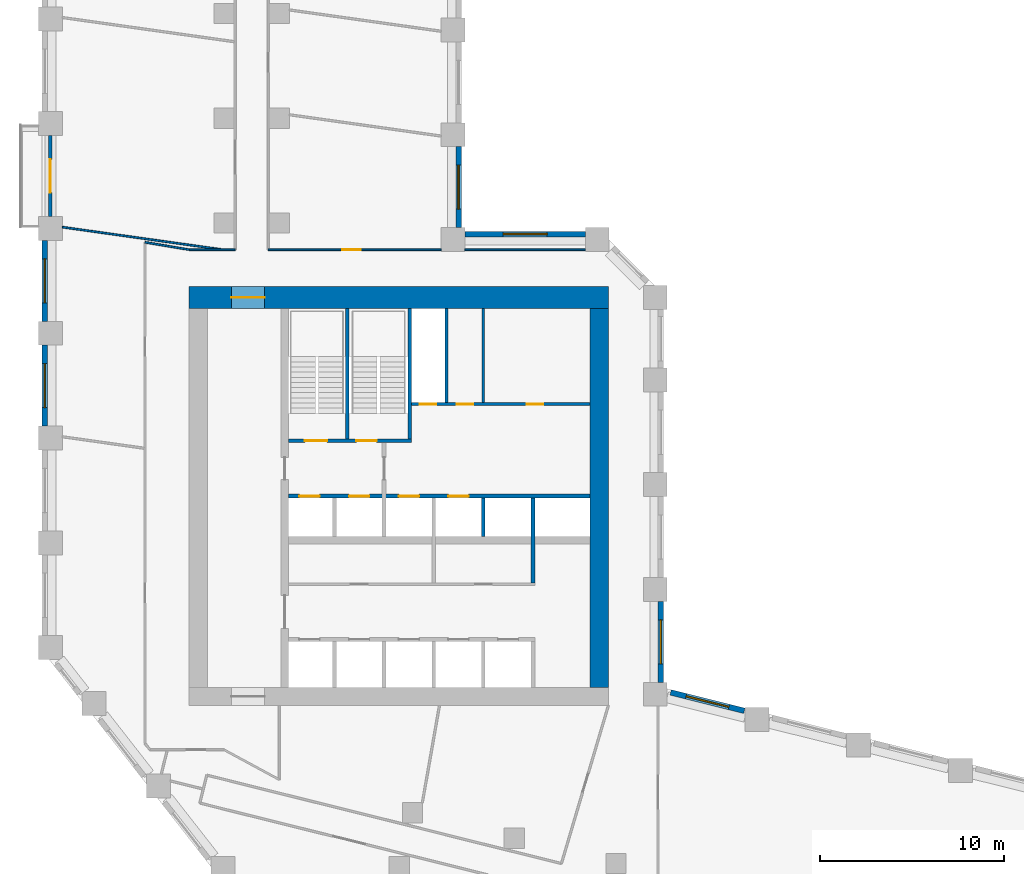
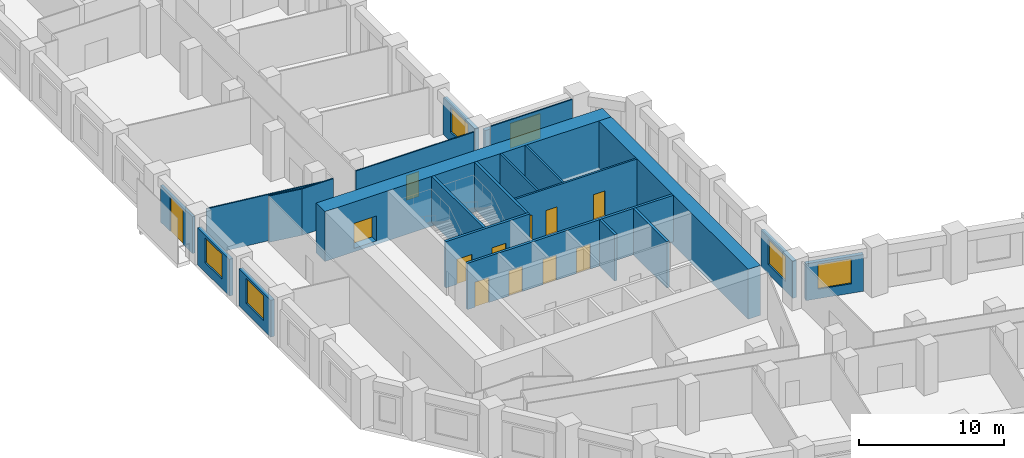
# One storey, part 5 of 10: 23 walls, 12 doors, 6 windows, 18 openings.
"""IFC4 building model written with IfcOpenShell, lengths in metres."""

from ifc_helpers import new_model, si_unit, direction, frame, frame_2d, origin, place, context, subcontext, project, spatial, rectangle, extrude, material, layer, layer_set, type_object, element, fill, save


model = new_model("IFC4")

# Units and contexts
model_context = context("Model", 3, precision=1e-05, world=origin(), true_north=direction((0.0, 1.0)))
body_context = subcontext(model_context, "Body", "Model", "MODEL_VIEW")
ifc_project = project(units=[si_unit("LENGTHUNIT", "METRE"), si_unit("AREAUNIT", "SQUARE_METRE"), si_unit("VOLUMEUNIT", "CUBIC_METRE"), si_unit("PLANEANGLEUNIT", "RADIAN"), si_unit("MASSUNIT", "GRAM", prefix="KILO")], contexts=[model_context])

# Site, building, storey
site_placement = place(None, origin())
site = spatial("IfcSite", under=ifc_project, at=site_placement, CompositionType="ELEMENT")
building_placement = place(site_placement, origin())
building = spatial("IfcBuilding", under=site, at=building_placement, Name="Meshkara Civic Tower", CompositionType="ELEMENT")
storey_placement = place(building_placement, frame((0.0, 0.0, 118.199951171875)))
storey = spatial("IfcBuildingStorey", under=building, at=storey_placement, Name="L26", CompositionType="ELEMENT", Elevation=118.199951171875)

# Wall, openings, doors
ifc_material_1 = material(Name="Blockwork", Category="masonry")
ifc_layer_1 = layer(ifc_material_1, 0.14990234375)
ifc_layer_set_1 = layer_set([ifc_layer_1], Name="Core partition 150")
wall_type_1 = type_object("IfcWallType", Name="Core partition 150", PredefinedType="PARTITIONING", material=ifc_layer_set_1)
wall_1_placement = place(storey_placement, frame((20.10009765625, 30.5, 0.0), z_axis=(0.0, 0.0, 1.0), x_axis=(1.0, 0.0, 0.0)))
wall_1 = element("IfcWall", 1, at=wall_1_placement, inside=storey, type_object=wall_type_1, Name="L26-C010", PredefinedType="PARTITIONING", context=body_context, shape_type="SweptSolid", body=[
    extrude(rectangle(XDim=9.699951171875, YDim=0.14990234375, at=frame_2d((4.85009765625, 0.0))), origin(), (0.0, 0.0, 1.0), 3.900146484375),
])
opening_1_placement = place(wall_1_placement, frame((0.449951171875, 0.0, 0.0)))
opening_1 = element("IfcOpeningElement", 2, at=opening_1_placement, cuts=wall_1, Name="Opening L26-K012", PredefinedType="OPENING", context=body_context, shape_type="SweptSolid", body=[
    extrude(rectangle(XDim=0.89990234375, YDim=2.10009765625, at=frame_2d((0.449951171875, 1.050048828125))), frame((0.0, 0.0849609375, 0.0), z_axis=(0.0, -1.0, 0.0), x_axis=(1.0, 0.0, 0.0)), (0.0, 0.0, 1.0), 0.169921875),
])
opening_2_placement = place(wall_1_placement, frame((2.449951171875, 0.0, 0.0)))
opening_2 = element("IfcOpeningElement", 3, at=opening_2_placement, cuts=wall_1, Name="Opening L26-K013", PredefinedType="OPENING", context=body_context, shape_type="SweptSolid", body=[
    extrude(rectangle(XDim=0.89990234375, YDim=2.10009765625, at=frame_2d((0.449951171875, 1.050048828125))), frame((0.0, 0.0849609375, 0.0), z_axis=(0.0, -1.0, 0.0), x_axis=(1.0, 0.0, 0.0)), (0.0, 0.0, 1.0), 0.169921875),
])
opening_3_placement = place(wall_1_placement, frame((6.25, 0.0, 0.0)))
opening_3 = element("IfcOpeningElement", 4, at=opening_3_placement, cuts=wall_1, Name="Opening L26-K014", PredefinedType="OPENING", context=body_context, shape_type="SweptSolid", body=[
    extrude(rectangle(XDim=0.89990234375, YDim=2.10009765625, at=frame_2d((0.449951171875, 1.050048828125))), frame((0.0, 0.0849609375, 0.0), z_axis=(0.0, -1.0, 0.0), x_axis=(1.0, 0.0, 0.0)), (0.0, 0.0, 1.0), 0.169921875),
])
ifc_material_2 = material(Name="Timber door leaf in steel frame", Category="steel")
door_type_1 = type_object("IfcDoorType", Name="Core room door 900", OperationType="SINGLE_SWING_LEFT", PredefinedType="DOOR", material=ifc_material_2)
door_1_placement = place(opening_3_placement, origin())
door_1 = element("IfcDoor", 5, at=door_1_placement, inside=storey, type_object=door_type_1, Name="L26-K014", OperationType="SINGLE_SWING_RIGHT", OverallHeight=2.10009765625, OverallWidth=0.89990234375, PredefinedType="DOOR", context=body_context, shape_type="SweptSolid", body=[
    extrude(rectangle(XDim=0.89990234375, YDim=2.10009765625, at=frame_2d((0.449951171875, 1.050048828125))), frame((0.0, 0.02490234375, 0.0), z_axis=(0.0, -1.0, 0.0), x_axis=(1.0, 0.0, 0.0)), (0.0, 0.0, 1.0), 0.050048828125),
])
fill(opening_3, door_1)
ifc_material_3 = material(Name="Fire-rated door leaf in steel frame", Category="steel")
door_type_2 = type_object("IfcDoorType", Name="Riser door 900", OperationType="SINGLE_SWING_LEFT", PredefinedType="DOOR", material=ifc_material_3)
door_2_placement = place(opening_1_placement, origin())
door_2 = element("IfcDoor", 6, at=door_2_placement, inside=storey, type_object=door_type_2, Name="L26-K012", OperationType="SINGLE_SWING_RIGHT", OverallHeight=2.10009765625, OverallWidth=0.89990234375, PredefinedType="DOOR", context=body_context, shape_type="SweptSolid", body=[
    extrude(rectangle(XDim=0.89990234375, YDim=2.10009765625, at=frame_2d((0.449951171875, 1.050048828125))), frame((0.0, 0.02490234375, 0.0), z_axis=(0.0, -1.0, 0.0), x_axis=(1.0, 0.0, 0.0)), (0.0, 0.0, 1.0), 0.050048828125),
])
fill(opening_1, door_2)
ifc_material_4 = material(Name="Timber door leaf in steel frame", Category="steel")
door_type_3 = type_object("IfcDoorType", Name="WC door 900", OperationType="SINGLE_SWING_LEFT", PredefinedType="DOOR", material=ifc_material_4)
door_3_placement = place(opening_2_placement, origin())
door_3 = element("IfcDoor", 7, at=door_3_placement, inside=storey, type_object=door_type_3, Name="L26-K013", OperationType="SINGLE_SWING_LEFT", OverallHeight=2.10009765625, OverallWidth=0.89990234375, PredefinedType="DOOR", context=body_context, shape_type="SweptSolid", body=[
    extrude(rectangle(XDim=0.89990234375, YDim=2.10009765625, at=frame_2d((0.449951171875, 1.050048828125))), frame((0.0, 0.02490234375, 0.0), z_axis=(0.0, -1.0, 0.0), x_axis=(1.0, 0.0, 0.0)), (0.0, 0.0, 1.0), 0.050048828125),
])
fill(opening_2, door_3)

# Walls
for number, where, z_axis, x_axis, name in (
    (8, (22.0, 30.574951171875, 0.0), (0.0, 0.0, 1.0), (0.0, 1.0, 0.0), "L26-C020"),
    (9, (24.0, 30.574951171875, 0.0), (0.0, 0.0, 1.0), (0.0, 1.0, 0.0), "L26-C023"),
):
    element("IfcWall", number, at=place(storey_placement, frame(where, z_axis=z_axis, x_axis=x_axis)), inside=storey, type_object=wall_type_1, Name=name, PredefinedType="PARTITIONING", context=body_context, shape_type="SweptSolid", body=[
        extrude(rectangle(XDim=5.125, YDim=0.14990234375, at=frame_2d((2.5625, 0.0))), origin(), (0.0, 0.0, 1.0), 3.900146484375),
    ])
ifc_material_5 = material(Name="Concrete C70", Category="concrete")
ifc_layer_2 = layer(ifc_material_5, 1.0)
ifc_layer_set_2 = layer_set([ifc_layer_2], Name="Core ring wall 1000 C70")
wall_type_2 = type_object("IfcWallType", Name="Core ring wall 1000 C70", PredefinedType="SHEAR", material=ifc_layer_set_2)
wall_2_placement = place(storey_placement, frame((30.300048828125, 15.10009765625, -0.300048828125), z_axis=(0.0, 0.0, 1.0), x_axis=(0.0, 1.0, 0.0)))
element("IfcWall", 10, at=wall_2_placement, inside=storey, type_object=wall_type_2, Name="L26-C004", PredefinedType="SHEAR", context=body_context, shape_type="SweptSolid", body=[
    extrude(rectangle(XDim=20.599853515625, YDim=1.0, at=frame_2d((10.2998046875, 0.0))), origin(), (0.0, 0.0, 1.0), 4.2001953125),
])

# Wall, opening, door
ifc_material_6 = material(Name="Concrete C70", Category="concrete")
ifc_layer_3 = layer(ifc_material_6, 1.199951171875)
ifc_layer_set_3 = layer_set([ifc_layer_3], Name="Core ring wall 1200 C70")
wall_type_3 = type_object("IfcWallType", Name="Core ring wall 1200 C70", PredefinedType="SHEAR", material=ifc_layer_set_3)
wall_3_placement = place(storey_placement, frame((8.0, 36.300048828125, -0.300048828125), z_axis=(0.0, 0.0, 1.0), x_axis=(1.0, 0.0, 0.0)))
wall_3 = element("IfcWall", 11, at=wall_3_placement, inside=storey, type_object=wall_type_3, Name="L26-C002", PredefinedType="SHEAR", context=body_context, shape_type="SweptSolid", body=[
    extrude(rectangle(XDim=22.800048828125, YDim=1.199951171875, at=frame_2d((11.39990234375, 0.0))), origin(), (0.0, 0.0, 1.0), 4.2001953125),
])
opening_4_placement = place(wall_3_placement, frame((2.300048828125, 0.0, 0.300048828125)))
opening_4 = element("IfcOpeningElement", 12, at=opening_4_placement, cuts=wall_3, Name="Opening L26-K020", PredefinedType="OPENING", context=body_context, shape_type="SweptSolid", body=[
    extrude(rectangle(XDim=1.800048828125, YDim=2.10009765625, at=frame_2d((0.89990234375, 1.050048828125))), frame((0.0, 0.60986328125, 0.0), z_axis=(0.0, -1.0, 0.0), x_axis=(1.0, 0.0, 0.0)), (0.0, 0.0, 1.0), 1.219970703125),
])
ifc_material_7 = material(Name="Fire-rated door leaf in steel frame", Category="steel")
door_type_4 = type_object("IfcDoorType", Name="Core double door 1800 EI 60", OperationType="DOUBLE_DOOR_SINGLE_SWING", PredefinedType="DOOR", material=ifc_material_7)
door_4_placement = place(opening_4_placement, origin())
door_4 = element("IfcDoor", 13, at=door_4_placement, inside=storey, type_object=door_type_4, Name="L26-K020", OperationType="DOUBLE_DOOR_SINGLE_SWING", OverallHeight=2.10009765625, OverallWidth=1.800048828125, PredefinedType="DOOR", context=body_context, shape_type="SweptSolid", body=[
    extrude(rectangle(XDim=1.800048828125, YDim=2.10009765625, at=frame_2d((0.89990234375, 1.050048828125))), frame((0.0, 0.02490234375, 0.0), z_axis=(0.0, -1.0, 0.0), x_axis=(1.0, 0.0, 0.0)), (0.0, 0.0, 1.0), 0.050048828125),
])
fill(opening_4, door_4)

# Walls
ifc_material_8 = material(Name="Corridor wall 100")
ifc_layer_4 = layer(ifc_material_8, 0.10009765625)
ifc_layer_set_4 = layer_set([ifc_layer_4], Name="Corridor wall 100")
wall_type_4 = type_object("IfcWallType", Name="Corridor wall 100", PredefinedType="PARTITIONING", material=ifc_layer_set_4)
wall_4_placement = place(storey_placement, frame((8.0, 38.89990234375, 0.0), z_axis=(0.0, 0.0, 1.0), x_axis=(1.0, 0.0, 0.0)))
element("IfcWall", 14, at=wall_4_placement, inside=storey, type_object=wall_type_4, Name="L26-W007", PredefinedType="PARTITIONING", context=body_context, shape_type="SweptSolid", body=[
    extrude(rectangle(XDim=2.5, YDim=0.10009765625, at=frame_2d((1.25, 0.0))), origin(), (0.0, 0.0, 1.0), 3.900146484375),
])
wall_5_placement = place(storey_placement, frame((8.0, 38.89990234375, 0.0), z_axis=(0.0, 0.0, 1.0), x_axis=(-0.986383073668, 0.16446407505, 0.0)))
element("IfcWall", 15, at=wall_5_placement, inside=storey, type_object=wall_type_4, Name="L26-W008", PredefinedType="PARTITIONING", context=body_context, shape_type="SweptSolid", body=[
    extrude(rectangle(XDim=2.43310546875, YDim=0.10009765625, at=frame_2d((1.216552734375, 0.0))), origin(), (0.0, 0.0, 1.0), 3.900146484375),
])

# Wall, opening, door
wall_6_placement = place(storey_placement, frame((21.699951171875, 38.89990234375, 0.0), z_axis=(0.0, 0.0, 1.0), x_axis=(-1.0, 0.0, 0.0)))
wall_6 = element("IfcWall", 16, at=wall_6_placement, inside=storey, type_object=wall_type_4, Name="L26-W019", PredefinedType="PARTITIONING", context=body_context, shape_type="SweptSolid", body=[
    extrude(rectangle(XDim=9.39990234375, YDim=0.10009765625, at=frame_2d((4.699951171875, 0.0))), origin(), (0.0, 0.0, 1.0), 3.900146484375),
])
opening_5_placement = place(wall_6_placement, frame((4.3798828125, 0.0, 0.0)))
opening_5 = element("IfcOpeningElement", 17, at=opening_5_placement, cuts=wall_6, Name="Opening L26-D017", PredefinedType="OPENING", context=body_context, shape_type="SweptSolid", body=[
    extrude(rectangle(XDim=1.0, YDim=2.10009765625, at=frame_2d((0.5, 1.050048828125))), frame((0.0, 0.06005859375, 0.0), z_axis=(0.0, -1.0, 0.0), x_axis=(1.0, 0.0, 0.0)), (0.0, 0.0, 1.0), 0.1201171875),
])
ifc_material_9 = material(Name="Door 1000 x 2100")
door_type_5 = type_object("IfcDoorType", Name="Door 1000 x 2100", OperationType="SINGLE_SWING_LEFT", PredefinedType="DOOR", material=ifc_material_9)
door_5_placement = place(opening_5_placement, origin())
door_5 = element("IfcDoor", 18, at=door_5_placement, inside=storey, type_object=door_type_5, Name="L26-D017", OperationType="SINGLE_SWING_LEFT", OverallHeight=2.10009765625, OverallWidth=1.0, PredefinedType="DOOR", context=body_context, shape_type="SweptSolid", body=[
    extrude(rectangle(XDim=1.0, YDim=2.10009765625, at=frame_2d((0.5, 1.050048828125))), frame((0.0, 0.02490234375, 0.0), z_axis=(0.0, -1.0, 0.0), x_axis=(1.0, 0.0, 0.0)), (0.0, 0.0, 1.0), 0.050048828125),
])
fill(opening_5, door_5)

# Wall
wall_7_placement = place(storey_placement, frame((29.5439453125, 38.89990234375, 0.0), z_axis=(0.0, 0.0, 1.0), x_axis=(-1.0, 0.0, 0.0)))
element("IfcWall", 19, at=wall_7_placement, inside=storey, type_object=wall_type_4, Name="L26-W020", PredefinedType="PARTITIONING", context=body_context, shape_type="SweptSolid", body=[
    extrude(rectangle(XDim=6.5439453125, YDim=0.10009765625, at=frame_2d((3.27197265625, 0.0))), origin(), (0.0, 0.0, 1.0), 3.900146484375),
])

# Wall, opening, window
ifc_material_10 = material(Name="Insulated infill panel with bronze anodised aluminium cladding", Category="aluminium")
ifc_layer_5 = layer(ifc_material_10, 0.300048828125)
ifc_layer_set_5 = layer_set([ifc_layer_5], Name="EXTERNAL INFILL WALL 300")
wall_type_5 = type_object("IfcWallType", Name="EXTERNAL INFILL WALL 300", PredefinedType="SOLIDWALL", material=ifc_layer_set_5)
wall_8_placement = place(storey_placement, frame((38.18896484375, 13.822021484375, 0.0), z_axis=(0.0, 0.0, 1.0), x_axis=(-0.970281616392, 0.241978480223, 0.0)))
wall_8 = element("IfcWall", 20, at=wall_8_placement, inside=storey, type_object=wall_type_5, Name="External wall", PredefinedType="SOLIDWALL", context=body_context, shape_type="SweptSolid", body=[
    extrude(rectangle(XDim=4.12451171875, YDim=0.300048828125, at=frame_2d((2.062255859375, 0.0))), origin(), (0.0, 0.0, 1.0), 3.10009765625),
])
opening_6_placement = place(wall_8_placement, frame((0.862060546875, 0.0, 0.800048828125)))
opening_6 = element("IfcOpeningElement", 21, at=opening_6_placement, cuts=wall_8, Name="Opening W7", PredefinedType="OPENING", context=body_context, shape_type="SweptSolid", body=[
    extrude(rectangle(XDim=2.39990234375, YDim=2.10009765625, at=frame_2d((1.199951171875, 1.050048828125))), frame((0.0, 0.159912109375, 0.0), z_axis=(0.0, -1.0, 0.0), x_axis=(1.0, 0.0, 0.0)), (0.0, 0.0, 1.0), 0.320068359375),
])
ifc_material_11 = material(Name="Tinted double glazing", Category="glass")
window_type = type_object("IfcWindowType", Name="WINDOW 2400x2100", PartitioningType="DOUBLE_PANEL_VERTICAL", PredefinedType="WINDOW", material=ifc_material_11)
window_1_placement = place(opening_6_placement, origin())
window_1 = element("IfcWindow", 22, at=window_1_placement, inside=storey, type_object=window_type, Name="Window", OverallHeight=2.10009765625, OverallWidth=2.39990234375, PartitioningType="DOUBLE_PANEL_VERTICAL", PredefinedType="WINDOW", context=body_context, shape_type="SweptSolid", body=[
    extrude(rectangle(XDim=2.39990234375, YDim=2.10009765625, at=frame_2d((1.199951171875, 1.050048828125))), frame((0.0, 0.030029296875, 0.0), z_axis=(0.0, -1.0, 0.0), x_axis=(1.0, 0.0, 0.0)), (0.0, 0.0, 1.0), 0.06005859375),
])
fill(opening_6, window_1)

wall_9_placement = place(storey_placement, frame((33.64990234375, 15.368896484375, 0.0), z_axis=(0.0, 0.0, 1.0), x_axis=(0.0, 1.0, 0.0)))
wall_9 = element("IfcWall", 23, at=wall_9_placement, inside=storey, type_object=wall_type_5, Name="External wall", PredefinedType="SOLIDWALL", context=body_context, shape_type="SweptSolid", body=[
    extrude(rectangle(XDim=4.400146484375, YDim=0.300048828125, at=frame_2d((2.2001953125, 0.0))), origin(), (0.0, 0.0, 1.0), 3.10009765625),
])
opening_7_placement = place(wall_9_placement, frame((1.0, 0.0, 0.800048828125)))
opening_7 = element("IfcOpeningElement", 24, at=opening_7_placement, cuts=wall_9, Name="Opening W7", PredefinedType="OPENING", context=body_context, shape_type="SweptSolid", body=[
    extrude(rectangle(XDim=2.39990234375, YDim=2.10009765625, at=frame_2d((1.199951171875, 1.050048828125))), frame((0.0, 0.159912109375, 0.0), z_axis=(0.0, -1.0, 0.0), x_axis=(1.0, 0.0, 0.0)), (0.0, 0.0, 1.0), 0.320068359375),
])
window_2_placement = place(opening_7_placement, origin())
window_2 = element("IfcWindow", 25, at=window_2_placement, inside=storey, type_object=window_type, Name="Window", OverallHeight=2.10009765625, OverallWidth=2.39990234375, PartitioningType="DOUBLE_PANEL_VERTICAL", PredefinedType="WINDOW", context=body_context, shape_type="SweptSolid", body=[
    extrude(rectangle(XDim=2.39990234375, YDim=2.10009765625, at=frame_2d((1.199951171875, 1.050048828125))), frame((0.0, 0.030029296875, 0.0), z_axis=(0.0, -1.0, 0.0), x_axis=(1.0, 0.0, 0.0)), (0.0, 0.0, 1.0), 0.06005859375),
])
fill(opening_7, window_2)

wall_10_placement = place(storey_placement, frame((29.5439453125, 39.75, 0.0), z_axis=(0.0, 0.0, 1.0), x_axis=(-1.0, 0.0, 0.0)))
wall_10 = element("IfcWall", 26, at=wall_10_placement, inside=storey, type_object=wall_type_5, Name="External wall", PredefinedType="SOLIDWALL", context=body_context, shape_type="SweptSolid", body=[
    extrude(rectangle(XDim=6.5439453125, YDim=0.300048828125, at=frame_2d((3.27197265625, 0.0))), origin(), (0.0, 0.0, 1.0), 3.10009765625),
])
opening_8_placement = place(wall_10_placement, frame((2.072021484375, 0.0, 0.800048828125)))
opening_8 = element("IfcOpeningElement", 27, at=opening_8_placement, cuts=wall_10, Name="Opening W7", PredefinedType="OPENING", context=body_context, shape_type="SweptSolid", body=[
    extrude(rectangle(XDim=2.39990234375, YDim=2.10009765625, at=frame_2d((1.199951171875, 1.050048828125))), frame((0.0, 0.159912109375, 0.0), z_axis=(0.0, -1.0, 0.0), x_axis=(1.0, 0.0, 0.0)), (0.0, 0.0, 1.0), 0.320068359375),
])
window_3_placement = place(opening_8_placement, origin())
window_3 = element("IfcWindow", 28, at=window_3_placement, inside=storey, type_object=window_type, Name="Window", OverallHeight=2.10009765625, OverallWidth=2.39990234375, PartitioningType="DOUBLE_PANEL_VERTICAL", PredefinedType="WINDOW", context=body_context, shape_type="SweptSolid", body=[
    extrude(rectangle(XDim=2.39990234375, YDim=2.10009765625, at=frame_2d((1.199951171875, 1.050048828125))), frame((0.0, 0.030029296875, 0.0), z_axis=(0.0, -1.0, 0.0), x_axis=(1.0, 0.0, 0.0)), (0.0, 0.0, 1.0), 0.06005859375),
])
fill(opening_8, window_3)

wall_11_placement = place(storey_placement, frame((22.64990234375, 40.10009765625, 0.0), z_axis=(0.0, 0.0, 1.0), x_axis=(0.0, 1.0, 0.0)))
wall_11 = element("IfcWall", 29, at=wall_11_placement, inside=storey, type_object=wall_type_5, Name="External wall", PredefinedType="SOLIDWALL", context=body_context, shape_type="SweptSolid", body=[
    extrude(rectangle(XDim=4.39990234375, YDim=0.300048828125, at=frame_2d((2.199951171875, 0.0))), origin(), (0.0, 0.0, 1.0), 3.10009765625),
])
opening_9_placement = place(wall_11_placement, frame((1.0, 0.0, 0.800048828125)))
opening_9 = element("IfcOpeningElement", 30, at=opening_9_placement, cuts=wall_11, Name="Opening W7", PredefinedType="OPENING", context=body_context, shape_type="SweptSolid", body=[
    extrude(rectangle(XDim=2.39990234375, YDim=2.10009765625, at=frame_2d((1.199951171875, 1.050048828125))), frame((0.0, 0.159912109375, 0.0), z_axis=(0.0, -1.0, 0.0), x_axis=(1.0, 0.0, 0.0)), (0.0, 0.0, 1.0), 0.320068359375),
])
window_4_placement = place(opening_9_placement, origin())
window_4 = element("IfcWindow", 31, at=window_4_placement, inside=storey, type_object=window_type, Name="Window", OverallHeight=2.10009765625, OverallWidth=2.39990234375, PartitioningType="DOUBLE_PANEL_VERTICAL", PredefinedType="WINDOW", context=body_context, shape_type="SweptSolid", body=[
    extrude(rectangle(XDim=2.39990234375, YDim=2.10009765625, at=frame_2d((1.199951171875, 1.050048828125))), frame((0.0, 0.030029296875, 0.0), z_axis=(0.0, -1.0, 0.0), x_axis=(1.0, 0.0, 0.0)), (0.0, 0.0, 1.0), 0.06005859375),
])
fill(opening_9, window_4)

wall_12_placement = place(storey_placement, frame((0.14990234375, 39.405029296875, 0.0), z_axis=(0.0, 0.0, 1.0), x_axis=(0.0, -1.0, 0.0)))
wall_12 = element("IfcWall", 32, at=wall_12_placement, inside=storey, type_object=wall_type_5, Name="External wall", PredefinedType="SOLIDWALL", context=body_context, shape_type="SweptSolid", body=[
    extrude(rectangle(XDim=4.400146484375, YDim=0.300048828125, at=frame_2d((2.2001953125, 0.0))), origin(), (0.0, 0.0, 1.0), 3.10009765625),
])
opening_10_placement = place(wall_12_placement, frame((1.0, 0.0, 0.800048828125)))
opening_10 = element("IfcOpeningElement", 33, at=opening_10_placement, cuts=wall_12, Name="Opening W7", PredefinedType="OPENING", context=body_context, shape_type="SweptSolid", body=[
    extrude(rectangle(XDim=2.39990234375, YDim=2.10009765625, at=frame_2d((1.199951171875, 1.050048828125))), frame((0.0, 0.159912109375, 0.0), z_axis=(0.0, -1.0, 0.0), x_axis=(1.0, 0.0, 0.0)), (0.0, 0.0, 1.0), 0.320068359375),
])
window_5_placement = place(opening_10_placement, origin())
window_5 = element("IfcWindow", 34, at=window_5_placement, inside=storey, type_object=window_type, Name="Window", OverallHeight=2.10009765625, OverallWidth=2.39990234375, PartitioningType="DOUBLE_PANEL_VERTICAL", PredefinedType="WINDOW", context=body_context, shape_type="SweptSolid", body=[
    extrude(rectangle(XDim=2.39990234375, YDim=2.10009765625, at=frame_2d((1.199951171875, 1.050048828125))), frame((0.0, 0.030029296875, 0.0), z_axis=(0.0, -1.0, 0.0), x_axis=(1.0, 0.0, 0.0)), (0.0, 0.0, 1.0), 0.06005859375),
])
fill(opening_10, window_5)

wall_13_placement = place(storey_placement, frame((0.14990234375, 33.705078125, 0.0), z_axis=(0.0, 0.0, 1.0), x_axis=(0.0, -1.0, 0.0)))
wall_13 = element("IfcWall", 35, at=wall_13_placement, inside=storey, type_object=wall_type_5, Name="External wall", PredefinedType="SOLIDWALL", context=body_context, shape_type="SweptSolid", body=[
    extrude(rectangle(XDim=4.400146484375, YDim=0.300048828125, at=frame_2d((2.2001953125, 0.0))), origin(), (0.0, 0.0, 1.0), 3.10009765625),
])
opening_11_placement = place(wall_13_placement, frame((1.0, 0.0, 0.800048828125)))
opening_11 = element("IfcOpeningElement", 36, at=opening_11_placement, cuts=wall_13, Name="Opening W7", PredefinedType="OPENING", context=body_context, shape_type="SweptSolid", body=[
    extrude(rectangle(XDim=2.39990234375, YDim=2.10009765625, at=frame_2d((1.199951171875, 1.050048828125))), frame((0.0, 0.159912109375, 0.0), z_axis=(0.0, -1.0, 0.0), x_axis=(1.0, 0.0, 0.0)), (0.0, 0.0, 1.0), 0.320068359375),
])
window_6_placement = place(opening_11_placement, origin())
window_6 = element("IfcWindow", 37, at=window_6_placement, inside=storey, type_object=window_type, Name="Window", OverallHeight=2.10009765625, OverallWidth=2.39990234375, PartitioningType="DOUBLE_PANEL_VERTICAL", PredefinedType="WINDOW", context=body_context, shape_type="SweptSolid", body=[
    extrude(rectangle(XDim=2.39990234375, YDim=2.10009765625, at=frame_2d((1.199951171875, 1.050048828125))), frame((0.0, 0.030029296875, 0.0), z_axis=(0.0, -1.0, 0.0), x_axis=(1.0, 0.0, 0.0)), (0.0, 0.0, 1.0), 0.06005859375),
])
fill(opening_11, window_6)

# Wall, opening, door
ifc_material_12 = material(Name="Insulated infill panel with bronze anodised aluminium cladding", Category="aluminium")
ifc_layer_6 = layer(ifc_material_12, 0.199951171875)
ifc_layer_set_6 = layer_set([ifc_layer_6], Name="LOGGIA BACK WALL 200")
wall_type_6 = type_object("IfcWallType", Name="LOGGIA BACK WALL 200", PredefinedType="SOLIDWALL", material=ifc_layer_set_6)
wall_14_placement = place(storey_placement, frame((0.449951171875, 45.10498046875, 0.0), z_axis=(0.0, 0.0, 1.0), x_axis=(0.0, -1.0, 0.0)))
wall_14 = element("IfcWall", 38, at=wall_14_placement, inside=storey, type_object=wall_type_6, Name="Loggia wall", PredefinedType="SOLIDWALL", context=body_context, shape_type="SweptSolid", body=[
    extrude(rectangle(XDim=4.39892578125, YDim=0.199951171875, at=frame_2d((2.199462890625, 0.0))), origin(), (0.0, 0.0, 1.0), 3.10009765625),
])
opening_12_placement = place(wall_14_placement, frame((1.300048828125, 0.0, 0.0)))
opening_12 = element("IfcOpeningElement", 39, at=opening_12_placement, cuts=wall_14, Name="Opening L26-L001", PredefinedType="OPENING", context=body_context, shape_type="SweptSolid", body=[
    extrude(rectangle(XDim=1.800048828125, YDim=2.89990234375, at=frame_2d((0.89990234375, 1.449951171875))), frame((0.0, 0.10986328125, 0.0), z_axis=(0.0, -1.0, 0.0), x_axis=(1.0, 0.0, 0.0)), (0.0, 0.0, 1.0), 0.219970703125),
])
ifc_material_13 = material(Name="Tinted double glazing", Category="glass")
door_type_6 = type_object("IfcDoorType", Name="LOGGIA DOOR 1800x2900", OperationType="DOUBLE_DOOR_SINGLE_SWING", PredefinedType="DOOR", material=ifc_material_13)
door_6_placement = place(opening_12_placement, origin())
door_6 = element("IfcDoor", 40, at=door_6_placement, inside=storey, type_object=door_type_6, Name="L26-L001", OperationType="DOUBLE_DOOR_SINGLE_SWING", OverallHeight=2.89990234375, OverallWidth=1.800048828125, PredefinedType="DOOR", context=body_context, shape_type="SweptSolid", body=[
    extrude(rectangle(XDim=1.800048828125, YDim=2.89990234375, at=frame_2d((0.89990234375, 1.449951171875))), frame((0.0, 0.02490234375, 0.0), z_axis=(0.0, -1.0, 0.0), x_axis=(1.0, 0.0, 0.0)), (0.0, 0.0, 1.0), 0.050048828125),
])
fill(opening_12, door_6)

# Wall
ifc_material_14 = material(Name="Partition 100")
ifc_layer_7 = layer(ifc_material_14, 0.10009765625)
ifc_layer_set_7 = layer_set([ifc_layer_7], Name="Partition 100")
wall_type_7 = type_object("IfcWallType", Name="Partition 100", PredefinedType="PARTITIONING", material=ifc_layer_set_7)
wall_15_placement = place(storey_placement, frame((9.820068359375, 38.89990234375, 0.0), z_axis=(0.0, 0.0, 1.0), x_axis=(-0.990259266872, 0.139235715156, 0.0)))
element("IfcWall", 41, at=wall_15_placement, inside=storey, type_object=wall_type_7, Name="L26-W035", PredefinedType="PARTITIONING", context=body_context, shape_type="SweptSolid", body=[
    extrude(rectangle(XDim=8.8056640625, YDim=0.10009765625, at=frame_2d((4.40283203125, 0.0))), origin(), (0.0, 0.0, 1.0), 3.900146484375),
])

# Wall, openings, doors
ifc_material_15 = material(Name="Concrete C40/50", Category="concrete")
ifc_layer_8 = layer(ifc_material_15, 0.199951171875)
ifc_layer_set_8 = layer_set([ifc_layer_8], Name="Shaft wall 200 C40/50")
wall_type_8 = type_object("IfcWallType", Name="Shaft wall 200 C40/50", PredefinedType="SOLIDWALL", material=ifc_layer_set_8)
wall_16_placement = place(storey_placement, frame((13.39990234375, 25.5, 0.0), z_axis=(0.0, 0.0, 1.0), x_axis=(1.0, 0.0, 0.0)))
wall_16 = element("IfcWall", 42, at=wall_16_placement, inside=storey, type_object=wall_type_8, Name="L26-C008", PredefinedType="SOLIDWALL", context=body_context, shape_type="SweptSolid", body=[
    extrude(rectangle(XDim=16.400146484375, YDim=0.199951171875, at=frame_2d((8.2001953125, 0.0))), origin(), (0.0, 0.0, 1.0), 3.900146484375),
])
opening_13_placement = place(wall_16_placement, frame((0.60009765625, 0.0, 0.0)))
opening_13 = element("IfcOpeningElement", 43, at=opening_13_placement, cuts=wall_16, Name="Opening L26-K006", PredefinedType="OPENING", context=body_context, shape_type="SweptSolid", body=[
    extrude(rectangle(XDim=1.10009765625, YDim=2.10009765625, at=frame_2d((0.550048828125, 1.050048828125))), frame((0.0, 0.10986328125, 0.0), z_axis=(0.0, -1.0, 0.0), x_axis=(1.0, 0.0, 0.0)), (0.0, 0.0, 1.0), 0.219970703125),
])
opening_14_placement = place(wall_16_placement, frame((3.300048828125, 0.0, 0.0)))
opening_14 = element("IfcOpeningElement", 44, at=opening_14_placement, cuts=wall_16, Name="Opening L26-K007", PredefinedType="OPENING", context=body_context, shape_type="SweptSolid", body=[
    extrude(rectangle(XDim=1.10009765625, YDim=2.10009765625, at=frame_2d((0.550048828125, 1.050048828125))), frame((0.0, 0.10986328125, 0.0), z_axis=(0.0, -1.0, 0.0), x_axis=(1.0, 0.0, 0.0)), (0.0, 0.0, 1.0), 0.219970703125),
])
opening_15_placement = place(wall_16_placement, frame((6.0, 0.0, 0.0)))
opening_15 = element("IfcOpeningElement", 45, at=opening_15_placement, cuts=wall_16, Name="Opening L26-K008", PredefinedType="OPENING", context=body_context, shape_type="SweptSolid", body=[
    extrude(rectangle(XDim=1.10009765625, YDim=2.10009765625, at=frame_2d((0.550048828125, 1.050048828125))), frame((0.0, 0.10986328125, 0.0), z_axis=(0.0, -1.0, 0.0), x_axis=(1.0, 0.0, 0.0)), (0.0, 0.0, 1.0), 0.219970703125),
])
opening_16_placement = place(wall_16_placement, frame((8.699951171875, 0.0, 0.0)))
opening_16 = element("IfcOpeningElement", 46, at=opening_16_placement, cuts=wall_16, Name="Opening L26-K009", PredefinedType="OPENING", context=body_context, shape_type="SweptSolid", body=[
    extrude(rectangle(XDim=1.10009765625, YDim=2.10009765625, at=frame_2d((0.550048828125, 1.050048828125))), frame((0.0, 0.10986328125, 0.0), z_axis=(0.0, -1.0, 0.0), x_axis=(1.0, 0.0, 0.0)), (0.0, 0.0, 1.0), 0.219970703125),
])
ifc_material_16 = material(Name="Stainless steel landing door", Category="steel")
door_type_7 = type_object("IfcDoorType", Name="Lift landing door 1100", OperationType="SLIDING_TO_LEFT", PredefinedType="DOOR", material=ifc_material_16)
door_7_placement = place(opening_13_placement, origin())
door_7 = element("IfcDoor", 47, at=door_7_placement, inside=storey, type_object=door_type_7, Name="L26-K006", OperationType="SLIDING_TO_LEFT", OverallHeight=2.10009765625, OverallWidth=1.10009765625, PredefinedType="DOOR", context=body_context, shape_type="SweptSolid", body=[
    extrude(rectangle(XDim=1.10009765625, YDim=2.10009765625, at=frame_2d((0.550048828125, 1.050048828125))), frame((0.0, 0.02490234375, 0.0), z_axis=(0.0, -1.0, 0.0), x_axis=(1.0, 0.0, 0.0)), (0.0, 0.0, 1.0), 0.050048828125),
])
fill(opening_13, door_7)
door_8_placement = place(opening_14_placement, origin())
door_8 = element("IfcDoor", 48, at=door_8_placement, inside=storey, type_object=door_type_7, Name="L26-K007", OperationType="SLIDING_TO_LEFT", OverallHeight=2.10009765625, OverallWidth=1.10009765625, PredefinedType="DOOR", context=body_context, shape_type="SweptSolid", body=[
    extrude(rectangle(XDim=1.10009765625, YDim=2.10009765625, at=frame_2d((0.550048828125, 1.050048828125))), frame((0.0, 0.02490234375, 0.0), z_axis=(0.0, -1.0, 0.0), x_axis=(1.0, 0.0, 0.0)), (0.0, 0.0, 1.0), 0.050048828125),
])
fill(opening_14, door_8)
door_9_placement = place(opening_15_placement, origin())
door_9 = element("IfcDoor", 49, at=door_9_placement, inside=storey, type_object=door_type_7, Name="L26-K008", OperationType="SLIDING_TO_LEFT", OverallHeight=2.10009765625, OverallWidth=1.10009765625, PredefinedType="DOOR", context=body_context, shape_type="SweptSolid", body=[
    extrude(rectangle(XDim=1.10009765625, YDim=2.10009765625, at=frame_2d((0.550048828125, 1.050048828125))), frame((0.0, 0.02490234375, 0.0), z_axis=(0.0, -1.0, 0.0), x_axis=(1.0, 0.0, 0.0)), (0.0, 0.0, 1.0), 0.050048828125),
])
fill(opening_15, door_9)
door_10_placement = place(opening_16_placement, origin())
door_10 = element("IfcDoor", 50, at=door_10_placement, inside=storey, type_object=door_type_7, Name="L26-K009", OperationType="SLIDING_TO_LEFT", OverallHeight=2.10009765625, OverallWidth=1.10009765625, PredefinedType="DOOR", context=body_context, shape_type="SweptSolid", body=[
    extrude(rectangle(XDim=1.10009765625, YDim=2.10009765625, at=frame_2d((0.550048828125, 1.050048828125))), frame((0.0, 0.02490234375, 0.0), z_axis=(0.0, -1.0, 0.0), x_axis=(1.0, 0.0, 0.0)), (0.0, 0.0, 1.0), 0.050048828125),
])
fill(opening_16, door_10)

# Walls
wall_17_placement = place(storey_placement, frame((24.0, 23.300048828125, 0.0), z_axis=(0.0, 0.0, 1.0), x_axis=(0.0, 1.0, 0.0)))
element("IfcWall", 51, at=wall_17_placement, inside=storey, type_object=wall_type_8, Name="L26-C022", PredefinedType="SOLIDWALL", context=body_context, shape_type="SweptSolid", body=[
    extrude(rectangle(XDim=2.099853515625, YDim=0.199951171875, at=frame_2d((1.0498046875, 0.0))), origin(), (0.0, 0.0, 1.0), 3.900146484375),
])
wall_18_placement = place(storey_placement, frame((26.699951171875, 20.77490234375, 0.0), z_axis=(0.0, 0.0, 1.0), x_axis=(0.0, 1.0, 0.0)))
element("IfcWall", 52, at=wall_18_placement, inside=storey, type_object=wall_type_8, Name="L26-C025", PredefinedType="SOLIDWALL", context=body_context, shape_type="SweptSolid", body=[
    extrude(rectangle(XDim=4.625, YDim=0.199951171875, at=frame_2d((2.3125, 0.0))), origin(), (0.0, 0.0, 1.0), 3.900146484375),
])

# Wall, openings, doors
ifc_material_17 = material(Name="Concrete C40/50", Category="concrete")
ifc_layer_9 = layer(ifc_material_17, 0.199951171875)
ifc_layer_set_9 = layer_set([ifc_layer_9], Name="Stair enclosure wall 200 C40/50")
wall_type_9 = type_object("IfcWallType", Name="Stair enclosure wall 200 C40/50", PredefinedType="SOLIDWALL", material=ifc_layer_set_9)
wall_19_placement = place(storey_placement, frame((13.39990234375, 28.5, 0.0), z_axis=(0.0, 0.0, 1.0), x_axis=(1.0, 0.0, 0.0)))
wall_19 = element("IfcWall", 53, at=wall_19_placement, inside=storey, type_object=wall_type_9, Name="L26-C009", PredefinedType="SOLIDWALL", context=body_context, shape_type="SweptSolid", body=[
    extrude(rectangle(XDim=6.7001953125, YDim=0.199951171875, at=frame_2d((3.35009765625, 0.0))), origin(), (0.0, 0.0, 1.0), 3.900146484375),
])
opening_17_placement = place(wall_19_placement, frame((0.89990234375, 0.0, 0.0)))
opening_17 = element("IfcOpeningElement", 54, at=opening_17_placement, cuts=wall_19, Name="Opening L26-K015", PredefinedType="OPENING", context=body_context, shape_type="SweptSolid", body=[
    extrude(rectangle(XDim=1.199951171875, YDim=2.10009765625, at=frame_2d((0.60009765625, 1.050048828125))), frame((0.0, 0.10986328125, 0.0), z_axis=(0.0, -1.0, 0.0), x_axis=(1.0, 0.0, 0.0)), (0.0, 0.0, 1.0), 0.219970703125),
])
opening_18_placement = place(wall_19_placement, frame((3.699951171875, 0.0, 0.0)))
opening_18 = element("IfcOpeningElement", 55, at=opening_18_placement, cuts=wall_19, Name="Opening L26-K016", PredefinedType="OPENING", context=body_context, shape_type="SweptSolid", body=[
    extrude(rectangle(XDim=1.10009765625, YDim=2.10009765625, at=frame_2d((0.550048828125, 1.050048828125))), frame((0.0, 0.10986328125, 0.0), z_axis=(0.0, -1.0, 0.0), x_axis=(1.0, 0.0, 0.0)), (0.0, 0.0, 1.0), 0.219970703125),
])
ifc_material_18 = material(Name="Fire-rated door leaf in steel frame", Category="steel")
door_type_8 = type_object("IfcDoorType", Name="Stair door 1100 EI 120", OperationType="SINGLE_SWING_LEFT", PredefinedType="DOOR", material=ifc_material_18)
door_11_placement = place(opening_18_placement, origin())
door_11 = element("IfcDoor", 56, at=door_11_placement, inside=storey, type_object=door_type_8, Name="L26-K016", OperationType="SINGLE_SWING_LEFT", OverallHeight=2.10009765625, OverallWidth=1.10009765625, PredefinedType="DOOR", context=body_context, shape_type="SweptSolid", body=[
    extrude(rectangle(XDim=1.10009765625, YDim=2.10009765625, at=frame_2d((0.550048828125, 1.050048828125))), frame((0.0, 0.02490234375, 0.0), z_axis=(0.0, -1.0, 0.0), x_axis=(1.0, 0.0, 0.0)), (0.0, 0.0, 1.0), 0.050048828125),
])
fill(opening_18, door_11)
ifc_material_19 = material(Name="Fire-rated door leaf in steel frame", Category="steel")
door_type_9 = type_object("IfcDoorType", Name="Stair door 1200 EI 120", OperationType="SINGLE_SWING_LEFT", PredefinedType="DOOR", material=ifc_material_19)
door_12_placement = place(opening_17_placement, origin())
door_12 = element("IfcDoor", 57, at=door_12_placement, inside=storey, type_object=door_type_9, Name="L26-K015", OperationType="SINGLE_SWING_RIGHT", OverallHeight=2.10009765625, OverallWidth=1.199951171875, PredefinedType="DOOR", context=body_context, shape_type="SweptSolid", body=[
    extrude(rectangle(XDim=1.199951171875, YDim=2.10009765625, at=frame_2d((0.60009765625, 1.050048828125))), frame((0.0, 0.02490234375, 0.0), z_axis=(0.0, -1.0, 0.0), x_axis=(1.0, 0.0, 0.0)), (0.0, 0.0, 1.0), 0.050048828125),
])
fill(opening_17, door_12)

# Walls
for number, where, z_axis, x_axis, name in (
    (58, (16.60009765625, 28.60009765625, 0.0), (0.0, 0.0, 1.0), (0.0, 1.0, 0.0), "L26-C014"),
    (59, (20.0, 28.60009765625, 0.0), (0.0, 0.0, 1.0), (0.0, 1.0, 0.0), "L26-C017"),
):
    element("IfcWall", number, at=place(storey_placement, frame(where, z_axis=z_axis, x_axis=x_axis)), inside=storey, type_object=wall_type_9, Name=name, PredefinedType="SOLIDWALL", context=body_context, shape_type="SweptSolid", body=[
        extrude(rectangle(XDim=7.099853515625, YDim=0.199951171875, at=frame_2d((3.5498046875, 0.0))), origin(), (0.0, 0.0, 1.0), 3.900146484375),
    ])

save(model, "model.ifc")
